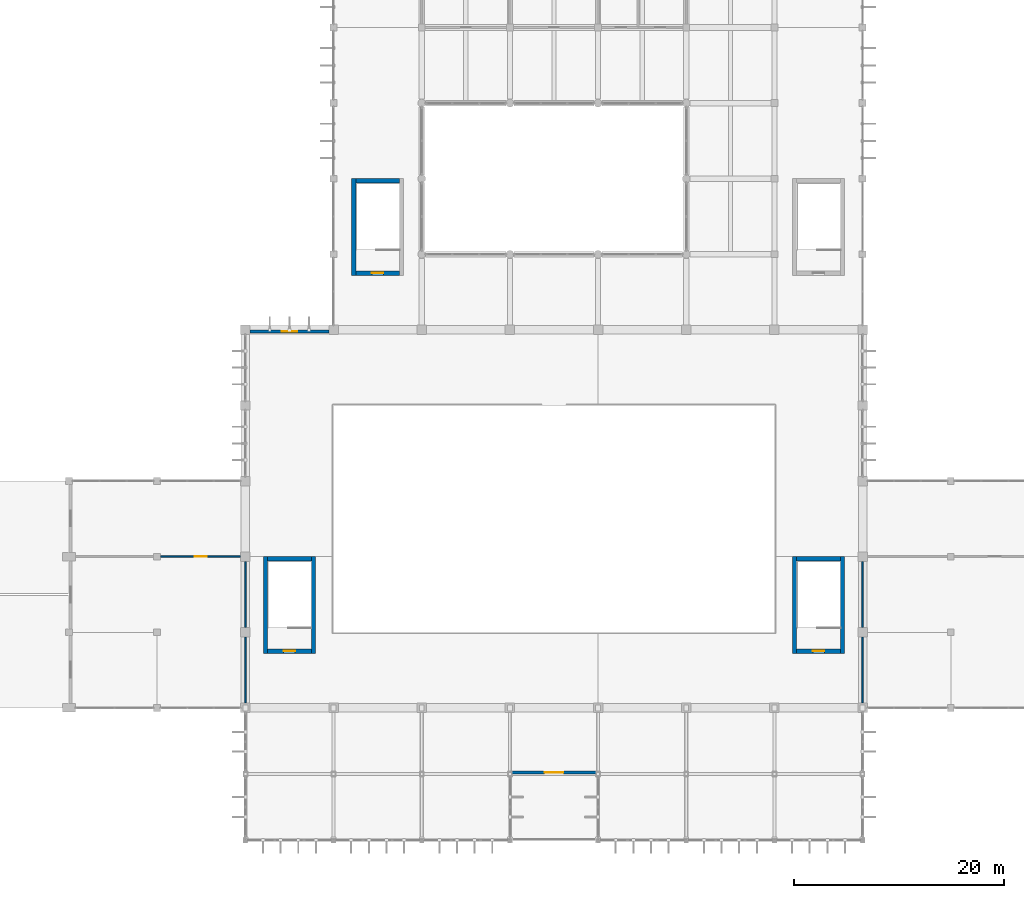
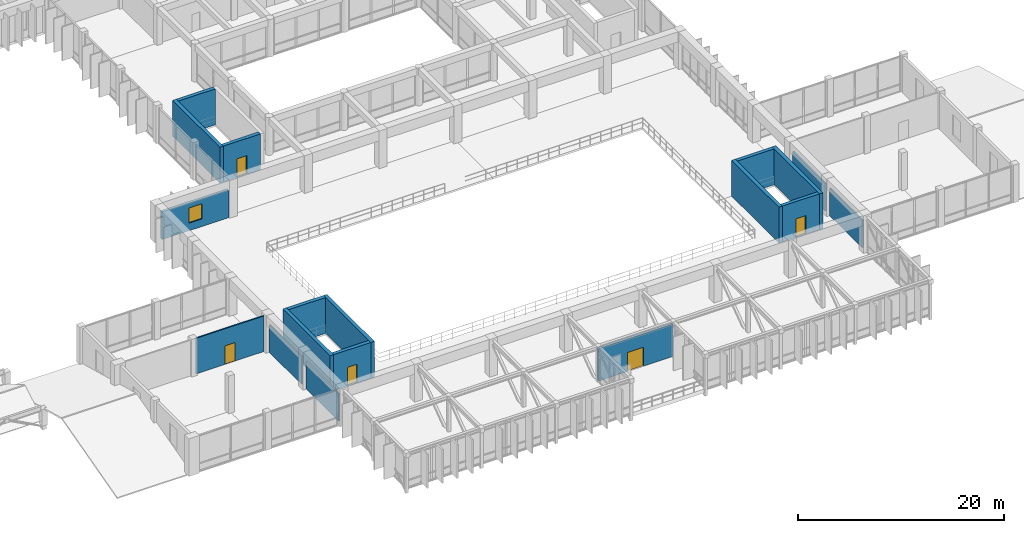
# One storey, part 26 of 40: 18 walls, 5 doors, 1 window, 6 openings.
"""IFC4 building model written with IfcOpenShell, lengths in metres."""

from ifc_helpers import new_model, si_unit, direction, frame, frame_2d, origin, place, context, subcontext, project, spatial, rectangle, extrude, material, layer, layer_set, type_object, element, fill, save


model = new_model("IFC4")

# Units and contexts
model_context = context("Model", 3, precision=1e-05, world=origin(), true_north=direction((0.0, 1.0)))
body_context = subcontext(model_context, "Body", "Model", "MODEL_VIEW")
ifc_project = project(units=[si_unit("LENGTHUNIT", "METRE"), si_unit("AREAUNIT", "SQUARE_METRE"), si_unit("VOLUMEUNIT", "CUBIC_METRE"), si_unit("PLANEANGLEUNIT", "RADIAN"), si_unit("MASSUNIT", "GRAM", prefix="KILO")], contexts=[model_context])

# Site, building, storey
site_placement = place(None, origin())
site = spatial("IfcSite", under=ifc_project, at=site_placement, CompositionType="ELEMENT")
building_placement = place(site_placement, origin())
building = spatial("IfcBuilding", under=site, at=building_placement, Name="Kenerak Square Central Library", CompositionType="ELEMENT")
storey_placement = place(building_placement, frame((0.0, 0.0, 14.39990234375)))
storey = spatial("IfcBuildingStorey", under=building, at=storey_placement, Name="L03", CompositionType="ELEMENT", Elevation=14.39990234375)

# Wall, opening, door
ifc_material_1 = material(Name="Precast concrete C40/50", Category="concrete")
ifc_layer_1 = layer(ifc_material_1, 0.14990234375)
ifc_layer_set_1 = layer_set([ifc_layer_1], Name="Precast concrete C40/50")
wall_type_1 = type_object("IfcWallType", Name="Acoustic Blockwork Partition IW-150 C40/50", PredefinedType="PARTITIONING", material=ifc_layer_set_1)
wall_1_placement = place(storey_placement, frame((50.324951171875, 31.199951171875, 0.0), z_axis=(0.0, 0.0, 1.0), x_axis=(1.0, 0.0, 0.0)))
wall_1 = element("IfcWall", 1, at=wall_1_placement, inside=storey, type_object=wall_type_1, Name="Interior Wall IW-L03-03-N2-B2", PredefinedType="PARTITIONING", context=body_context, shape_type="SweptSolid", body=[
    extrude(rectangle(XDim=7.625, YDim=0.14990234375, at=frame_2d((3.8125, 0.0))), origin(), (0.0, 0.0, 1.0), 4.22998046875),
])
opening_1_placement = place(wall_1_placement, frame((3.237548828125, 0.0, 0.0)))
opening_1 = element("IfcOpeningElement", 2, at=opening_1_placement, cuts=wall_1, Name="Opening ID-05", PredefinedType="OPENING", context=body_context, shape_type="SweptSolid", body=[
    extrude(rectangle(XDim=1.14990234375, YDim=2.199951171875, at=frame_2d((0.574951171875, 1.10009765625))), frame((0.0, 0.0849609375, 0.0), z_axis=(0.0, -1.0, 0.0), x_axis=(1.0, 0.0, 0.0)), (0.0, 0.0, 1.0), 0.169921875),
])
ifc_material_2 = material(Name="Chengal hardwood timber SG1", Category="wood")
door_type_1 = type_object("IfcDoorType", Name="Seminar Room Acoustic Door ID-1150x2200", OperationType="NOTDEFINED", PredefinedType="DOOR", material=ifc_material_2)
door_1_placement = place(opening_1_placement, origin())
door_1 = element("IfcDoor", 3, at=door_1_placement, inside=storey, type_object=door_type_1, Name="Group Study and Civic Seminar Suite West Door", OperationType="SINGLE_SWING_LEFT", OverallHeight=2.199951171875, OverallWidth=1.14990234375, PredefinedType="DOOR", context=body_context, shape_type="SweptSolid", body=[
    extrude(rectangle(XDim=1.14990234375, YDim=2.199951171875, at=frame_2d((0.574951171875, 1.10009765625))), frame((0.0, 0.02490234375, 0.0), z_axis=(0.0, -1.0, 0.0), x_axis=(1.0, 0.0, 0.0)), (0.0, 0.0, 1.0), 0.050048828125),
])
fill(opening_1, door_1)

# Walls
for number, where, z_axis, x_axis, name in (
    (4, (58.39990234375, 30.75, 0.0), (0.0, 0.0, 1.0), (0.0, -1.0, 0.0), "Interior Wall IW-L03-03-E4-B1"),
    (5, (58.39990234375, 23.550048828125, 0.0), (0.0, 0.0, 1.0), (0.0, -1.0, 0.0), "Interior Wall IW-L03-03-E4-B2"),
    (6, (117.199951171875, 17.25, 0.0), (0.0, 0.0, 1.0), (0.0, 1.0, 0.0), "Interior Wall IW-L03-04-W3-B1"),
    (7, (117.199951171875, 24.449951171875, 0.0), (0.0, 0.0, 1.0), (0.0, 1.0, 0.0), "Interior Wall IW-L03-04-W3-B2"),
):
    element("IfcWall", number, at=place(storey_placement, frame(where, z_axis=z_axis, x_axis=x_axis)), inside=storey, type_object=wall_type_1, Name=name, PredefinedType="PARTITIONING", context=body_context, shape_type="SweptSolid", body=[
        extrude(rectangle(XDim=6.300048828125, YDim=0.14990234375, at=frame_2d((3.14990234375, 0.0))), origin(), (0.0, 0.0, 1.0), 3.280029296875),
    ])

# Wall, opening, window
ifc_material_3 = material(Name="Concrete C40/50", Category="concrete")
ifc_layer_2 = layer(ifc_material_3, 0.300048828125)
ifc_layer_set_2 = layer_set([ifc_layer_2], Name="Concrete C40/50")
wall_type_2 = type_object("IfcWallType", Name="Board-Marked Brutalist Facade Wall EW-300 C40/50", PredefinedType="SOLIDWALL", material=ifc_layer_set_2)
wall_2_placement = place(storey_placement, frame((58.85009765625, 52.64990234375, 0.0), z_axis=(0.0, 0.0, 1.0), x_axis=(1.0, 0.0, 0.0)))
wall_2 = element("IfcWall", 8, at=wall_2_placement, inside=storey, type_object=wall_type_2, Name="Exterior Facade Wall L03 0194", PredefinedType="SOLIDWALL", context=body_context, shape_type="SweptSolid", body=[
    extrude(rectangle(XDim=7.5, YDim=0.300048828125, at=frame_2d((3.75, 0.0))), origin(), (0.0, 0.0, 1.0), 3.280029296875),
])
opening_2_placement = place(wall_2_placement, frame((3.0, 0.0, 0.89990234375)))
opening_2 = element("IfcOpeningElement", 9, at=opening_2_placement, cuts=wall_2, Name="Opening W-06", PredefinedType="OPENING", context=body_context, shape_type="SweptSolid", body=[
    extrude(rectangle(XDim=1.5, YDim=1.800048828125, at=frame_2d((0.75, 0.89990234375))), frame((0.0, 0.159912109375, 0.0), z_axis=(0.0, -1.0, 0.0), x_axis=(1.0, 0.0, 0.0)), (0.0, 0.0, 1.0), 0.320068359375),
])
ifc_material_4 = material(Name="Solar-control low-E laminated double glazing", Category="glass")
window_type = type_object("IfcWindowType", Name="Seminar Room Window W-06 1500x1800", PartitioningType="SINGLE_PANEL", PredefinedType="WINDOW", material=ifc_material_4)
window_placement = place(opening_2_placement, origin())
window = element("IfcWindow", 10, at=window_placement, inside=storey, type_object=window_type, Name="Window W-06 L03 0201", OverallHeight=1.800048828125, OverallWidth=1.5, PartitioningType="SINGLE_PANEL", PredefinedType="WINDOW", context=body_context, shape_type="SweptSolid", body=[
    extrude(rectangle(XDim=1.5, YDim=1.800048828125, at=frame_2d((0.75, 0.89990234375))), frame((0.0, 0.030029296875, 0.0), z_axis=(0.0, -1.0, 0.0), x_axis=(1.0, 0.0, 0.0)), (0.0, 0.0, 1.0), 0.06005859375),
])
fill(opening_2, window)

# Wall, opening, door
wall_3_placement = place(storey_placement, frame((92.0, 10.64990234375, 0.0), z_axis=(0.0, 0.0, 1.0), x_axis=(-1.0, 0.0, 0.0)))
wall_3 = element("IfcWall", 11, at=wall_3_placement, inside=storey, type_object=wall_type_2, Name="Exterior Facade Wall L03 0214", PredefinedType="SOLIDWALL", context=body_context, shape_type="SweptSolid", body=[
    extrude(rectangle(XDim=8.39990234375, YDim=0.300048828125, at=frame_2d((4.199951171875, 0.0))), origin(), (0.0, 0.0, 1.0), 3.8251953125),
])
opening_3_placement = place(wall_3_placement, frame((3.300048828125, 0.0, 0.0)))
opening_3 = element("IfcOpeningElement", 12, at=opening_3_placement, cuts=wall_3, Name="Opening TD-01", PredefinedType="OPENING", context=body_context, shape_type="SweptSolid", body=[
    extrude(rectangle(XDim=1.800048828125, YDim=2.25, at=frame_2d((0.89990234375, 1.125))), frame((0.0, 0.159912109375, 0.0), z_axis=(0.0, -1.0, 0.0), x_axis=(1.0, 0.0, 0.0)), (0.0, 0.0, 1.0), 0.320068359375),
])
ifc_material_5 = material(Name="Anodised aluminium and laminated glass", Category="aluminium")
door_type_2 = type_object("IfcDoorType", Name="Planted Reading Terrace Double Door TD-1800x2250", OperationType="NOTDEFINED", PredefinedType="DOOR", material=ifc_material_5)
door_2_placement = place(opening_3_placement, origin())
door_2 = element("IfcDoor", 13, at=door_2_placement, inside=storey, type_object=door_type_2, Name="Planted Entrance Notch Terrace Access Door", OperationType="DOUBLE_DOOR_SINGLE_SWING", OverallHeight=2.25, OverallWidth=1.800048828125, PredefinedType="DOOR", context=body_context, shape_type="SweptSolid", body=[
    extrude(rectangle(XDim=1.800048828125, YDim=2.25, at=frame_2d((0.89990234375, 1.125))), frame((0.0, 0.02490234375, 0.0), z_axis=(0.0, -1.0, 0.0), x_axis=(1.0, 0.0, 0.0)), (0.0, 0.0, 1.0), 0.050048828125),
])
fill(opening_3, door_2)

# Walls
ifc_layer_3 = layer(ifc_material_3, 0.39990234375)
ifc_layer_set_3 = layer_set([ifc_layer_3], Name="Concrete C40/50")
wall_type_3 = type_object("IfcWallType", Name="Core Shear Wall CW-400 C40/50", PredefinedType="SHEAR", material=ifc_layer_set_3)
for number, where, z_axis, x_axis, name in (
    (14, (60.320068359375, 22.0, 0.0), (0.0, 0.0, 1.0), (0.0, 1.0, 0.0), "Core Wall CW-C4 L03 West"),
    (15, (64.8798828125, 31.199951171875, 0.0), (0.0, 0.0, 1.0), (0.0, -1.0, 0.0), "Core Wall CW-C4 L03 East"),
):
    element("IfcWall", number, at=place(storey_placement, frame(where, z_axis=z_axis, x_axis=x_axis)), inside=storey, type_object=wall_type_3, Name=name, PredefinedType="SHEAR", context=body_context, shape_type="SweptSolid", body=[
        extrude(rectangle(XDim=9.199951171875, YDim=0.39990234375, at=frame_2d((4.60009765625, 0.0))), origin(), (0.0, 0.0, 1.0), 4.255126953125),
    ])

# Wall, opening, door
wall_4_placement = place(storey_placement, frame((64.679931640625, 22.199951171875, 0.0), z_axis=(0.0, 0.0, 1.0), x_axis=(-1.0, 0.0, 0.0)))
wall_4 = element("IfcWall", 16, at=wall_4_placement, inside=storey, type_object=wall_type_3, Name="Core Wall CW-C4 L03 South", PredefinedType="SHEAR", context=body_context, shape_type="SweptSolid", body=[
    extrude(rectangle(XDim=4.159912109375, YDim=0.39990234375, at=frame_2d((2.080078125, 0.0))), origin(), (0.0, 0.0, 1.0), 4.255126953125),
])
opening_4_placement = place(wall_4_placement, frame((1.530029296875, 0.0, 0.0)))
opening_4 = element("IfcOpeningElement", 17, at=opening_4_placement, cuts=wall_4, Name="Opening D-ST1", PredefinedType="OPENING", context=body_context, shape_type="SweptSolid", body=[
    extrude(rectangle(XDim=1.10009765625, YDim=2.199951171875, at=frame_2d((0.550048828125, 1.10009765625))), frame((0.0, 0.2099609375, 0.0), z_axis=(0.0, -1.0, 0.0), x_axis=(1.0, 0.0, 0.0)), (0.0, 0.0, 1.0), 0.419921875),
])
ifc_material_6 = material(Name="Steel S355", Category="steel")
door_type_3 = type_object("IfcDoorType", Name="Protected Stair Fire Door FD-1100x2200 FD60S", OperationType="NOTDEFINED", PredefinedType="DOOR", material=ifc_material_6)
door_3_placement = place(opening_4_placement, frame((1.10009765625, 0.0, 0.0), z_axis=(0.0, 0.0, 1.0), x_axis=(-1.0, 0.0, 0.0)))
door_3 = element("IfcDoor", 18, at=door_3_placement, inside=storey, type_object=door_type_3, Name="Stair Door ST-04 L03", OperationType="SINGLE_SWING_RIGHT", OverallHeight=2.199951171875, OverallWidth=1.10009765625, PredefinedType="DOOR", context=body_context, shape_type="SweptSolid", body=[
    extrude(rectangle(XDim=1.10009765625, YDim=2.199951171875, at=frame_2d((0.550048828125, 1.10009765625))), frame((0.0, 0.02490234375, 0.0), z_axis=(0.0, -1.0, 0.0), x_axis=(1.0, 0.0, 0.0)), (0.0, 0.0, 1.0), 0.050048828125),
])
fill(opening_4, door_3)

# Walls
wall_5_placement = place(storey_placement, frame((60.52001953125, 31.0, 0.0), z_axis=(0.0, 0.0, 1.0), x_axis=(1.0, 0.0, 0.0)))
element("IfcWall", 19, at=wall_5_placement, inside=storey, type_object=wall_type_3, Name="Core Wall CW-C4 L03 North", PredefinedType="SHEAR", context=body_context, shape_type="SweptSolid", body=[
    extrude(rectangle(XDim=4.159912109375, YDim=0.39990234375, at=frame_2d((2.080078125, 0.0))), origin(), (0.0, 0.0, 1.0), 4.255126953125),
])
for number, where, z_axis, x_axis, name in (
    (20, (110.719970703125, 22.0, 0.0), (0.0, 0.0, 1.0), (0.0, 1.0, 0.0), "Core Wall CW-C5 L03 West"),
    (21, (115.280029296875, 31.199951171875, 0.0), (0.0, 0.0, 1.0), (0.0, -1.0, 0.0), "Core Wall CW-C5 L03 East"),
):
    element("IfcWall", number, at=place(storey_placement, frame(where, z_axis=z_axis, x_axis=x_axis)), inside=storey, type_object=wall_type_3, Name=name, PredefinedType="SHEAR", context=body_context, shape_type="SweptSolid", body=[
        extrude(rectangle(XDim=9.199951171875, YDim=0.39990234375, at=frame_2d((4.60009765625, 0.0))), origin(), (0.0, 0.0, 1.0), 4.255126953125),
    ])

# Wall, opening, door
wall_6_placement = place(storey_placement, frame((115.080078125, 22.199951171875, 0.0), z_axis=(0.0, 0.0, 1.0), x_axis=(-1.0, 0.0, 0.0)))
wall_6 = element("IfcWall", 22, at=wall_6_placement, inside=storey, type_object=wall_type_3, Name="Core Wall CW-C5 L03 South", PredefinedType="SHEAR", context=body_context, shape_type="SweptSolid", body=[
    extrude(rectangle(XDim=4.16015625, YDim=0.39990234375, at=frame_2d((2.080078125, 0.0))), origin(), (0.0, 0.0, 1.0), 4.255126953125),
])
opening_5_placement = place(wall_6_placement, frame((1.530029296875, 0.0, 0.0)))
opening_5 = element("IfcOpeningElement", 23, at=opening_5_placement, cuts=wall_6, Name="Opening D-ST1", PredefinedType="OPENING", context=body_context, shape_type="SweptSolid", body=[
    extrude(rectangle(XDim=1.10009765625, YDim=2.199951171875, at=frame_2d((0.550048828125, 1.10009765625))), frame((0.0, 0.2099609375, 0.0), z_axis=(0.0, -1.0, 0.0), x_axis=(1.0, 0.0, 0.0)), (0.0, 0.0, 1.0), 0.419921875),
])
door_4_placement = place(opening_5_placement, frame((1.10009765625, 0.0, 0.0), z_axis=(0.0, 0.0, 1.0), x_axis=(-1.0, 0.0, 0.0)))
door_4 = element("IfcDoor", 24, at=door_4_placement, inside=storey, type_object=door_type_3, Name="Stair Door ST-05 L03", OperationType="SINGLE_SWING_LEFT", OverallHeight=2.199951171875, OverallWidth=1.10009765625, PredefinedType="DOOR", context=body_context, shape_type="SweptSolid", body=[
    extrude(rectangle(XDim=1.10009765625, YDim=2.199951171875, at=frame_2d((0.550048828125, 1.10009765625))), frame((0.0, 0.02490234375, 0.0), z_axis=(0.0, -1.0, 0.0), x_axis=(1.0, 0.0, 0.0)), (0.0, 0.0, 1.0), 0.050048828125),
])
fill(opening_5, door_4)

# Walls
wall_7_placement = place(storey_placement, frame((110.919921875, 31.0, 0.0), z_axis=(0.0, 0.0, 1.0), x_axis=(1.0, 0.0, 0.0)))
element("IfcWall", 25, at=wall_7_placement, inside=storey, type_object=wall_type_3, Name="Core Wall CW-C5 L03 North", PredefinedType="SHEAR", context=body_context, shape_type="SweptSolid", body=[
    extrude(rectangle(XDim=4.16015625, YDim=0.39990234375, at=frame_2d((2.080078125, 0.0))), origin(), (0.0, 0.0, 1.0), 4.255126953125),
])
wall_8_placement = place(storey_placement, frame((68.719970703125, 58.0, 0.0), z_axis=(0.0, 0.0, 1.0), x_axis=(0.0, 1.0, 0.0)))
element("IfcWall", 26, at=wall_8_placement, inside=storey, type_object=wall_type_3, Name="Core Wall CW-C8 L03 West", PredefinedType="SHEAR", context=body_context, shape_type="SweptSolid", body=[
    extrude(rectangle(XDim=9.199951171875, YDim=0.39990234375, at=frame_2d((4.60009765625, 0.0))), origin(), (0.0, 0.0, 1.0), 4.255126953125),
])

# Wall, opening, door
wall_9_placement = place(storey_placement, frame((73.080078125, 58.199951171875, 0.0), z_axis=(0.0, 0.0, 1.0), x_axis=(-1.0, 0.0, 0.0)))
wall_9 = element("IfcWall", 27, at=wall_9_placement, inside=storey, type_object=wall_type_3, Name="Core Wall CW-C8 L03 South", PredefinedType="SHEAR", context=body_context, shape_type="SweptSolid", body=[
    extrude(rectangle(XDim=4.16015625, YDim=0.39990234375, at=frame_2d((2.080078125, 0.0))), origin(), (0.0, 0.0, 1.0), 4.255126953125),
])
opening_6_placement = place(wall_9_placement, frame((1.530029296875, 0.0, 0.0)))
opening_6 = element("IfcOpeningElement", 28, at=opening_6_placement, cuts=wall_9, Name="Opening D-ST1", PredefinedType="OPENING", context=body_context, shape_type="SweptSolid", body=[
    extrude(rectangle(XDim=1.10009765625, YDim=2.199951171875, at=frame_2d((0.550048828125, 1.10009765625))), frame((0.0, 0.2099609375, 0.0), z_axis=(0.0, -1.0, 0.0), x_axis=(1.0, 0.0, 0.0)), (0.0, 0.0, 1.0), 0.419921875),
])
door_5_placement = place(opening_6_placement, frame((1.10009765625, 0.0, 0.0), z_axis=(0.0, 0.0, 1.0), x_axis=(-1.0, 0.0, 0.0)))
door_5 = element("IfcDoor", 29, at=door_5_placement, inside=storey, type_object=door_type_3, Name="Stair Door ST-08 L03", OperationType="SINGLE_SWING_RIGHT", OverallHeight=2.199951171875, OverallWidth=1.10009765625, PredefinedType="DOOR", context=body_context, shape_type="SweptSolid", body=[
    extrude(rectangle(XDim=1.10009765625, YDim=2.199951171875, at=frame_2d((0.550048828125, 1.10009765625))), frame((0.0, 0.02490234375, 0.0), z_axis=(0.0, -1.0, 0.0), x_axis=(1.0, 0.0, 0.0)), (0.0, 0.0, 1.0), 0.050048828125),
])
fill(opening_6, door_5)

# Wall
wall_10_placement = place(storey_placement, frame((68.919921875, 67.0, 0.0), z_axis=(0.0, 0.0, 1.0), x_axis=(1.0, 0.0, 0.0)))
element("IfcWall", 30, at=wall_10_placement, inside=storey, type_object=wall_type_3, Name="Core Wall CW-C8 L03 North", PredefinedType="SHEAR", context=body_context, shape_type="SweptSolid", body=[
    extrude(rectangle(XDim=4.16015625, YDim=0.39990234375, at=frame_2d((2.080078125, 0.0))), origin(), (0.0, 0.0, 1.0), 4.255126953125),
])

save(model, "model.ifc")
